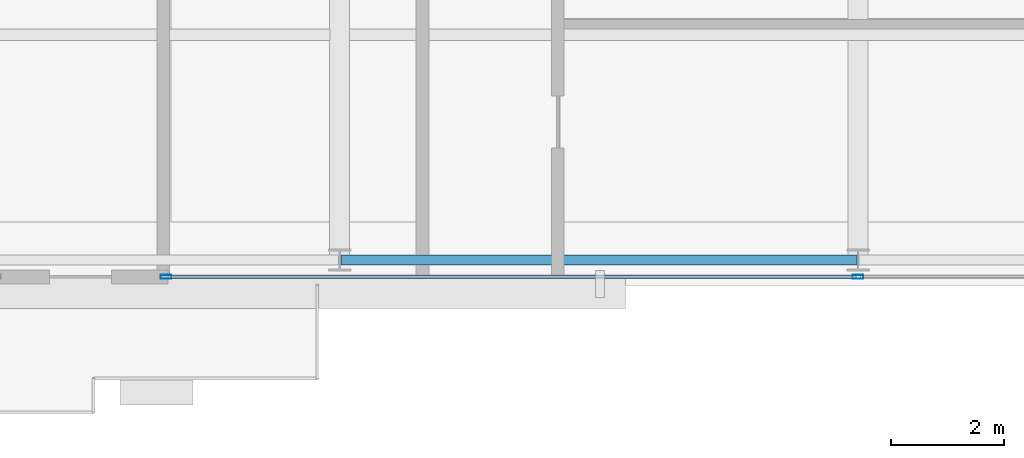
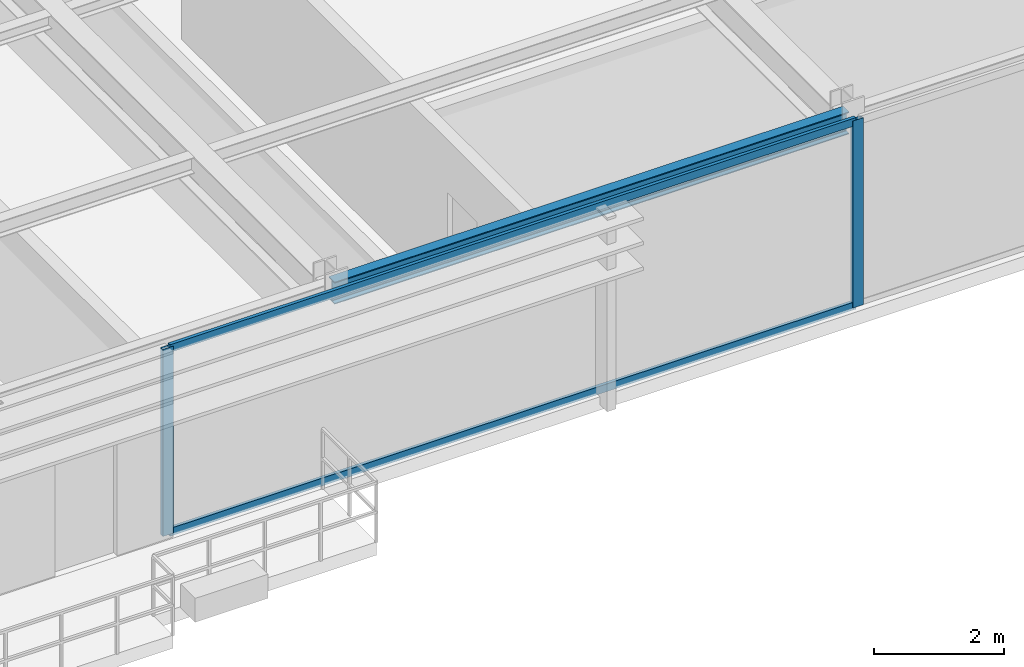
# One storey, part 6 of 31: 4 members, 1 beam, 1 element without a shape of its own.
"""IFC4 building model written with IfcOpenShell, lengths in metres."""

from ifc_helpers import new_model, si_unit, direction, frame, origin, origin_2d, place, context, subcontext, project, spatial, hollow_rectangle, i_section, extrude, source, transform, mapped, material, layer, layer_set, material_profile, profile_set, type_object, type_shapes, element, aggregate, save


model = new_model("IFC4")

# Units and contexts
model_context = context("Model", 3, precision=1e-05, world=origin(), true_north=direction((0.0, 1.0)))
body_context = subcontext(model_context, "Body", "Model", "MODEL_VIEW")
ifc_project = project(units=[si_unit("LENGTHUNIT", "METRE"), si_unit("AREAUNIT", "SQUARE_METRE"), si_unit("VOLUMEUNIT", "CUBIC_METRE"), si_unit("PLANEANGLEUNIT", "RADIAN"), si_unit("MASSUNIT", "GRAM", prefix="KILO")], contexts=[model_context])

# Site, building, storey
site_placement = place(None, origin())
site = spatial("IfcSite", under=ifc_project, at=site_placement, CompositionType="ELEMENT")
building_placement = place(site_placement, origin())
building = spatial("IfcBuilding", under=site, at=building_placement, Name="Varnel Quay Broadcast Tower", CompositionType="ELEMENT")
storey_placement = place(building_placement, frame((0.0, 0.0, 94.60009765625)))
storey = spatial("IfcBuildingStorey", under=building, at=storey_placement, Name="L22", CompositionType="ELEMENT", Elevation=94.60009765625)

# Beam
ifc_material_1 = material(Name="Structural Steel CSA G40.21 350W", Category="steel")
ifc_material_profile_1 = material_profile(ifc_material_1, i_section(OverallWidth=0.180908203125, OverallDepth=0.4169921875, WebThickness=0.010986328125, FlangeThickness=0.018310546875, FilletRadius=0.011962890625, at=origin_2d()), Name="W410X85")
ifc_profile_set_1 = profile_set([ifc_material_profile_1], Name="Structural Steel CSA G40.21 350W")
beam_type = type_object("IfcBeamType", Name="Beam_W410X85", PredefinedType="SPANDREL", material=ifc_profile_set_1)
shared_shape_1 = source(origin(), body_context, "Body", "SweptSolid", [
    extrude(i_section(OverallWidth=0.180908203125, OverallDepth=0.4169921875, WebThickness=0.010986328125, FlangeThickness=0.018310546875, FilletRadius=0.011962890625, at=origin_2d()), origin(), (0.0, 0.0, 1.0), 9.159912109375),
])
type_shapes(beam_type, [shared_shape_1])
beam_placement = place(storey_placement, frame((24.820068359375, 4.64990234375, 3.3115234375), z_axis=(1.0, 0.0, 0.0), x_axis=(0.0, 1.0, 0.0)))
element("IfcBeam", 1, at=beam_placement, inside=storey, type_object=beam_type, Name="L22 South Spandrel TC-S2-TC-S3", PredefinedType="SPANDREL", context=body_context, shape_type="MappedRepresentation", body=[
    mapped(shared_shape_1, transform((0.0, 0.0, 0.0), x_axis=(1.0, 0.0, 0.0), y_axis=(0.0, 1.0, 0.0), z_axis=(0.0, 0.0, 1.0), scale=1.0)),
])

# Curtain wall, members
ifc_material_2 = material(Name="Anodised Bronze Aluminium 6063-T6", Category="aluminium")
ifc_layer = layer(ifc_material_2, 0.18994140625, Name="Anodised Bronze Aluminium 6063-T6")
ifc_layer_set = layer_set([ifc_layer], Name="Anodised Bronze Aluminium 6063-T6")
curtain_wall_type = type_object("IfcCurtainWallType", Name="CW_LowerTower", PredefinedType="NOTDEFINED", material=ifc_layer_set)
curtain_wall_placement = place(storey_placement, origin())
curtain_wall = element("IfcCurtainWall", 2, at=curtain_wall_placement, inside=storey, type_object=curtain_wall_type, Name="L22 South Unitised Curtain Wall 2", PredefinedType="NOTDEFINED")
ifc_material_profile_2 = material_profile(ifc_material_2, hollow_rectangle(XDim=0.06005859375, YDim=0.14501953125, WallThickness=0.00341796875, at=origin_2d()), Name="ALU60X145X3.5")
ifc_profile_set_2 = profile_set([ifc_material_profile_2], Name="Anodised Bronze Aluminium 6063-T6")
member_type_1 = type_object("IfcMemberType", Name="Tran_CWS-02", PredefinedType="USERDEFINED", material=ifc_profile_set_2)
shared_shape_2 = source(origin(), body_context, "Body", "SweptSolid", [
    extrude(hollow_rectangle(XDim=0.06005859375, YDim=0.14501953125, WallThickness=0.00341796875, at=origin_2d()), origin(), (0.0, 0.0, 1.0), 12.215087890625),
])
type_shapes(member_type_1, [shared_shape_2])
member_1_placement = place(storey_placement, frame((21.75, 4.35009765625, 0.02978515625), z_axis=(1.0, 0.0, 0.0), x_axis=(0.0, 1.0, 0.0)))
member_1 = element("IfcMember", 3, at=member_1_placement, type_object=member_type_1, Name="CWS-02 transom 1.1", ObjectType="TRANSOM", PredefinedType="USERDEFINED", context=body_context, shape_type="MappedRepresentation", body=[
    mapped(shared_shape_2, transform((0.0, 0.0, 0.0), x_axis=(1.0, 0.0, 0.0), y_axis=(0.0, 1.0, 0.0), z_axis=(0.0, 0.0, 1.0), scale=1.0)),
])
member_2_placement = place(storey_placement, frame((21.75, 4.35009765625, 3.489990234375), z_axis=(1.0, 0.0, 0.0), x_axis=(0.0, 1.0, 0.0)))
member_2 = element("IfcMember", 4, at=member_2_placement, type_object=member_type_1, Name="CWS-02 transom 1.2", ObjectType="TRANSOM", PredefinedType="USERDEFINED", context=body_context, shape_type="MappedRepresentation", body=[
    mapped(shared_shape_2, transform((0.0, 0.0, 0.0), x_axis=(1.0, 0.0, 0.0), y_axis=(0.0, 1.0, 0.0), z_axis=(0.0, 0.0, 1.0), scale=1.0)),
])
ifc_material_profile_3 = material_profile(ifc_material_2, hollow_rectangle(XDim=0.070068359375, YDim=0.18994140625, WallThickness=0.00390625, at=origin_2d()), Name="ALU70X190X4")
ifc_profile_set_3 = profile_set([ifc_material_profile_3], Name="Anodised Bronze Aluminium 6063-T6")
member_type_2 = type_object("IfcMemberType", Name="Mull_CWS-02", PredefinedType="MULLION", material=ifc_profile_set_3)
shared_shape_3 = source(origin(), body_context, "Body", "SweptSolid", [
    extrude(hollow_rectangle(XDim=0.070068359375, YDim=0.18994140625, WallThickness=0.00390625, at=origin_2d()), origin(), (0.0, 0.0, 1.0), 3.52001953125),
])
type_shapes(member_type_2, [shared_shape_3])
member_3_placement = place(storey_placement, frame((21.715087890625, 4.35009765625, 0.0), z_axis=(0.0, 0.0, 1.0), x_axis=(0.0, 1.0, 0.0)))
member_3 = element("IfcMember", 5, at=member_3_placement, type_object=member_type_2, Name="CWS-02 mullion 1", PredefinedType="MULLION", context=body_context, shape_type="MappedRepresentation", body=[
    mapped(shared_shape_3, transform((0.0, 0.0, 0.0), x_axis=(1.0, 0.0, 0.0), y_axis=(0.0, 1.0, 0.0), z_axis=(0.0, 0.0, 1.0), scale=1.0)),
])
member_4_placement = place(storey_placement, frame((34.0, 4.35009765625, 0.0), z_axis=(0.0, 0.0, 1.0), x_axis=(0.0, 1.0, 0.0)))
member_4 = element("IfcMember", 6, at=member_4_placement, type_object=member_type_2, Name="CWS-02 mullion 2", PredefinedType="MULLION", context=body_context, shape_type="MappedRepresentation", body=[
    mapped(shared_shape_3, transform((0.0, 0.0, 0.0), x_axis=(1.0, 0.0, 0.0), y_axis=(0.0, 1.0, 0.0), z_axis=(0.0, 0.0, 1.0), scale=1.0)),
])
aggregate(curtain_wall, [member_3, member_4, member_1, member_2])

save(model, "model.ifc")
